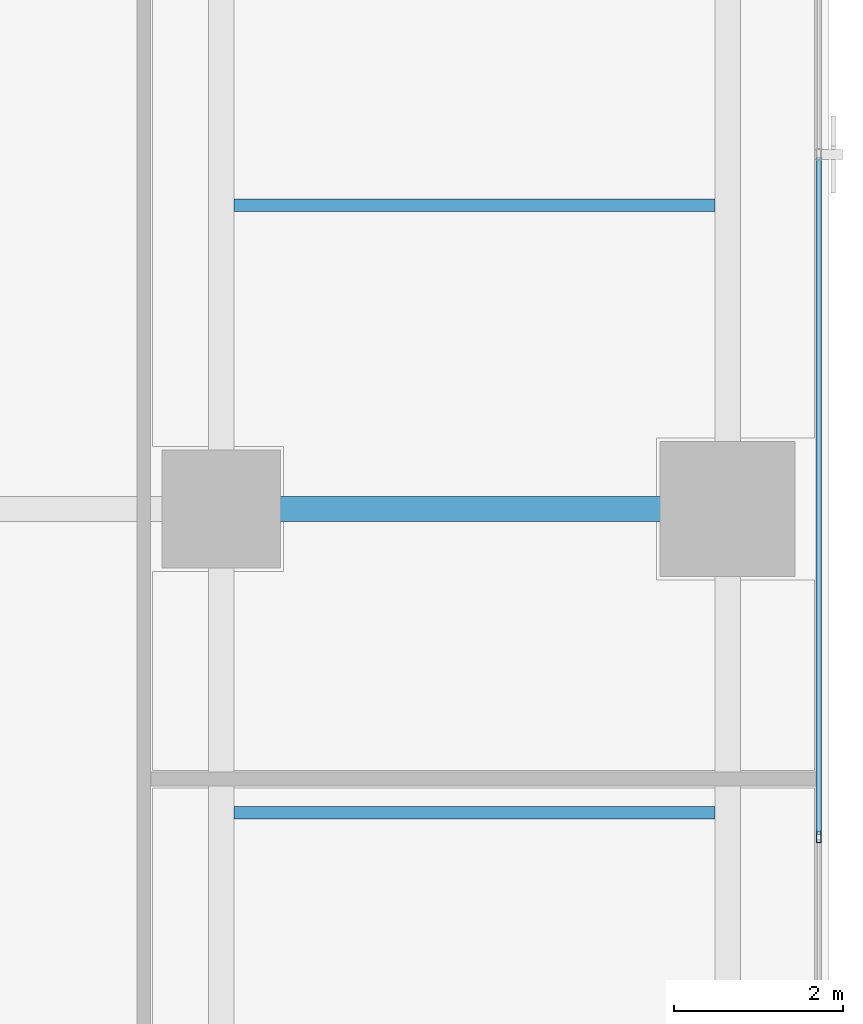
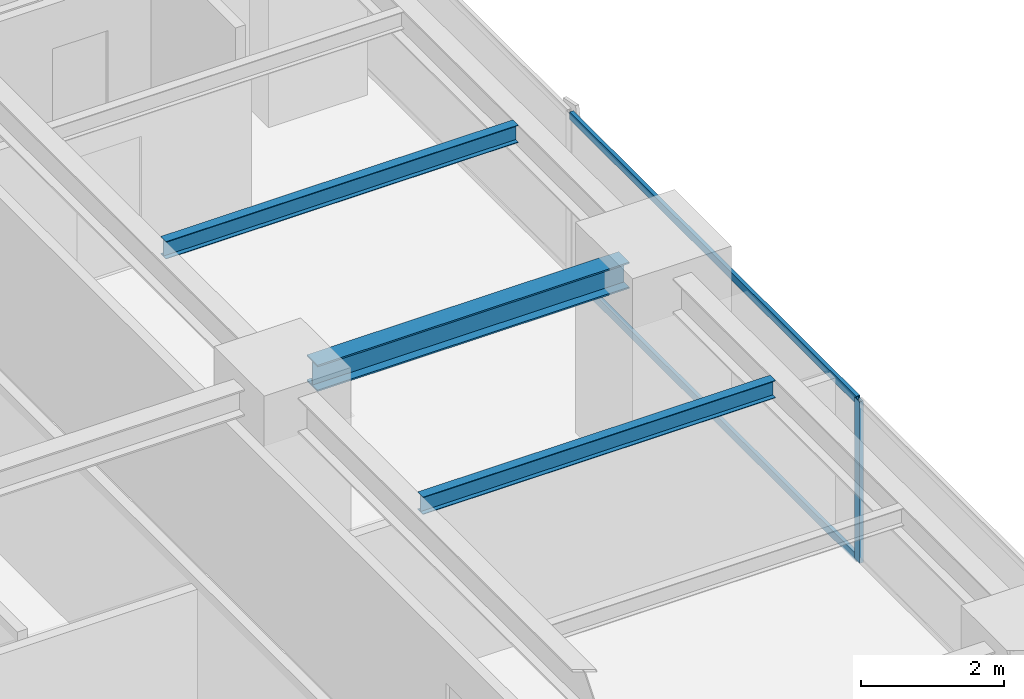
# One storey, part 15 of 29: 3 beams, 3 members, 1 element without a shape of its own.
"""IFC4 building model written with IfcOpenShell, lengths in metres."""

from ifc_helpers import new_model, si_unit, direction, frame, origin, origin_2d, place, context, subcontext, project, spatial, hollow_rectangle, i_section, extrude, source, transform, mapped, material, layer, layer_set, material_profile, profile_set, type_object, element, aggregate, save


model = new_model("IFC4")

# Units and contexts
model_context = context("Model", 3, precision=1e-05, world=origin(), true_north=direction((0.0, 1.0)))
body_context = subcontext(model_context, "Body", "Model", "MODEL_VIEW")
ifc_project = project(units=[si_unit("LENGTHUNIT", "METRE"), si_unit("AREAUNIT", "SQUARE_METRE"), si_unit("VOLUMEUNIT", "CUBIC_METRE"), si_unit("PLANEANGLEUNIT", "RADIAN"), si_unit("MASSUNIT", "GRAM", prefix="KILO")], contexts=[model_context])

# Site, building, storey
site_placement = place(None, origin())
site = spatial("IfcSite", under=ifc_project, at=site_placement, CompositionType="ELEMENT")
building_placement = place(site_placement, origin())
building = spatial("IfcBuilding", under=site, at=building_placement, Name="Sumidabori Civic Tower", CompositionType="ELEMENT")
storey_placement = place(building_placement, frame((0.0, 0.0, 218.0)))
storey = spatial("IfcBuildingStorey", under=building, at=storey_placement, Name="L56", CompositionType="ELEMENT", Elevation=218.0)

# Beams
ifc_material_1 = material(Name="Steel SN490", Category="steel")
ifc_material_profile_1 = material_profile(ifc_material_1, i_section(OverallWidth=0.14990234375, OverallDepth=0.300048828125, WebThickness=0.007080078125, FlangeThickness=0.0107421875, at=origin_2d()), Name="IPE 300")
ifc_profile_set_1 = profile_set([ifc_material_profile_1], Name="Steel SN490")
beam_type_1 = type_object("IfcBeamType", Name="BM-JST-300", PredefinedType="JOIST", material=ifc_profile_set_1)
shared_shape_1 = source(origin(), body_context, "Body", "SweptSolid", [
    extrude(i_section(OverallWidth=0.14990234375, OverallDepth=0.300048828125, WebThickness=0.007080078125, FlangeThickness=0.0107421875, at=origin_2d()), origin(), (0.0, 0.0, 1.0), 5.699951171875),
])
for number, where, z_axis, x_axis, name in (
    (1, (16.949951171875, -3.60009765625, 3.22998046875), (1.0, 0.0, 0.0), (0.0, 1.0, 0.0), "Outer Bay Floor Joist L56 JSTO-28"),
    (2, (16.949951171875, 3.60009765625, 3.22998046875), (1.0, 0.0, 0.0), (0.0, 1.0, 0.0), "Outer Bay Floor Joist L56 JSTO-30"),
):
    element("IfcBeam", number, at=place(storey_placement, frame(where, z_axis=z_axis, x_axis=x_axis)), inside=storey, type_object=beam_type_1, Name=name, PredefinedType="JOIST", context=body_context, shape_type="MappedRepresentation", body=[
        mapped(shared_shape_1, transform((0.0, 0.0, 0.0), x_axis=(1.0, 0.0, 0.0), y_axis=(0.0, 1.0, 0.0), z_axis=(0.0, 0.0, 1.0), scale=1.0)),
    ])
ifc_material_profile_2 = material_profile(ifc_material_1, i_section(OverallWidth=0.300048828125, OverallDepth=0.449951171875, WebThickness=0.013916015625, FlangeThickness=0.02587890625, at=origin_2d()), Name="HE 450 B")
ifc_profile_set_2 = profile_set([ifc_material_profile_2], Name="Steel SN490")
beam_type_2 = type_object("IfcBeamType", Name="BM-GIRD-450", PredefinedType="BEAM", material=ifc_profile_set_2)
shared_shape_2 = source(origin(), body_context, "Body", "SweptSolid", [
    extrude(i_section(OverallWidth=0.300048828125, OverallDepth=0.449951171875, WebThickness=0.013916015625, FlangeThickness=0.02587890625, at=origin_2d()), origin(), (0.0, 0.0, 1.0), 5.0400390625),
])
beam_placement = place(storey_placement, frame((17.280029296875, 0.0, 3.155029296875), z_axis=(1.0, 0.0, 0.0), x_axis=(0.0, 1.0, 0.0)))
element("IfcBeam", 3, at=beam_placement, inside=storey, type_object=beam_type_2, Name="Primary Girder L56 GX-08", PredefinedType="BEAM", context=body_context, shape_type="MappedRepresentation", body=[
    mapped(shared_shape_2, transform((0.0, 0.0, 0.0), x_axis=(1.0, 0.0, 0.0), y_axis=(0.0, 1.0, 0.0), z_axis=(0.0, 0.0, 1.0), scale=1.0)),
])

# Curtain wall, members
ifc_material_2 = material(Name="Anodised Bronze Aluminium AW-6063-T6", Category="aluminium")
ifc_layer = layer(ifc_material_2, 0.179931640625, Name="Anodised Bronze Aluminium AW-6063-T6")
ifc_layer_set = layer_set([ifc_layer], Name="Anodised Bronze Aluminium AW-6063-T6")
curtain_wall_type = type_object("IfcCurtainWallType", Name="CW-SYS-5", PredefinedType="NOTDEFINED", material=ifc_layer_set)
curtain_wall_placement = place(storey_placement, origin())
curtain_wall = element("IfcCurtainWall", 4, at=curtain_wall_placement, inside=storey, type_object=curtain_wall_type, Name="Curtain Wall CW:L56:R10", PredefinedType="NOTDEFINED")
ifc_material_profile_3 = material_profile(ifc_material_2, hollow_rectangle(XDim=0.06005859375, YDim=0.139892578125, WallThickness=0.0048828125, at=origin_2d()), Name="ALU MULLION 140x60")
ifc_profile_set_3 = profile_set([ifc_material_profile_3], Name="Anodised Bronze Aluminium AW-6063-T6")
member_type_1 = type_object("IfcMemberType", Name="CW-MUL-140", PredefinedType="MULLION", material=ifc_profile_set_3)
shared_shape_3 = source(origin(), body_context, "Body", "SweptSolid", [
    extrude(hollow_rectangle(XDim=0.06005859375, YDim=0.139892578125, WallThickness=0.0048828125, at=origin_2d()), origin(), (0.0, 0.0, 1.0), 2.760009765625),
])
member_1_placement = place(storey_placement, frame((23.8798828125, -3.885009765625, 0.0), z_axis=(0.0, 0.0, 1.0), x_axis=(-1.0, 0.0, 0.0)))
member_1 = element("IfcMember", 5, at=member_1_placement, type_object=member_type_1, Name="CW-5 mullion 2", PredefinedType="MULLION", context=body_context, shape_type="MappedRepresentation", body=[
    mapped(shared_shape_3, transform((0.0, 0.0, 0.0), x_axis=(1.0, 0.0, 0.0), y_axis=(0.0, 1.0, 0.0), z_axis=(0.0, 0.0, 1.0), scale=1.0)),
])
ifc_material_profile_4 = material_profile(ifc_material_2, hollow_rectangle(XDim=0.06005859375, YDim=0.1298828125, WallThickness=0.0048828125, at=origin_2d()), Name="ALU TRANSOM 130x60")
ifc_profile_set_4 = profile_set([ifc_material_profile_4], Name="Anodised Bronze Aluminium AW-6063-T6")
member_type_2 = type_object("IfcMemberType", Name="CW-TRN-130", PredefinedType="USERDEFINED", material=ifc_profile_set_4)
shared_shape_4 = source(origin(), body_context, "Body", "SweptSolid", [
    extrude(hollow_rectangle(XDim=0.06005859375, YDim=0.1298828125, WallThickness=0.0048828125, at=origin_2d()), origin(), (0.0, 0.0, 1.0), 8.02490234375),
])
member_2_placement = place(storey_placement, frame((23.8798828125, -3.85498046875, 0.030029296875), z_axis=(0.0, 1.0, 0.0), x_axis=(-1.0, 0.0, 0.0)))
member_2 = element("IfcMember", 6, at=member_2_placement, type_object=member_type_2, Name="CW-5 transom 2.1", ObjectType="TRANSOM", PredefinedType="USERDEFINED", context=body_context, shape_type="MappedRepresentation", body=[
    mapped(shared_shape_4, transform((0.0, 0.0, 0.0), x_axis=(1.0, 0.0, 0.0), y_axis=(0.0, 1.0, 0.0), z_axis=(0.0, 0.0, 1.0), scale=1.0)),
])
member_3_placement = place(storey_placement, frame((23.8798828125, -3.85498046875, 2.72998046875), z_axis=(0.0, 1.0, 0.0), x_axis=(-1.0, 0.0, 0.0)))
member_3 = element("IfcMember", 7, at=member_3_placement, type_object=member_type_2, Name="CW-5 transom 2.2", ObjectType="TRANSOM", PredefinedType="USERDEFINED", context=body_context, shape_type="MappedRepresentation", body=[
    mapped(shared_shape_4, transform((0.0, 0.0, 0.0), x_axis=(1.0, 0.0, 0.0), y_axis=(0.0, 1.0, 0.0), z_axis=(0.0, 0.0, 1.0), scale=1.0)),
])
aggregate(curtain_wall, [member_1, member_2, member_3])

save(model, "model.ifc")
